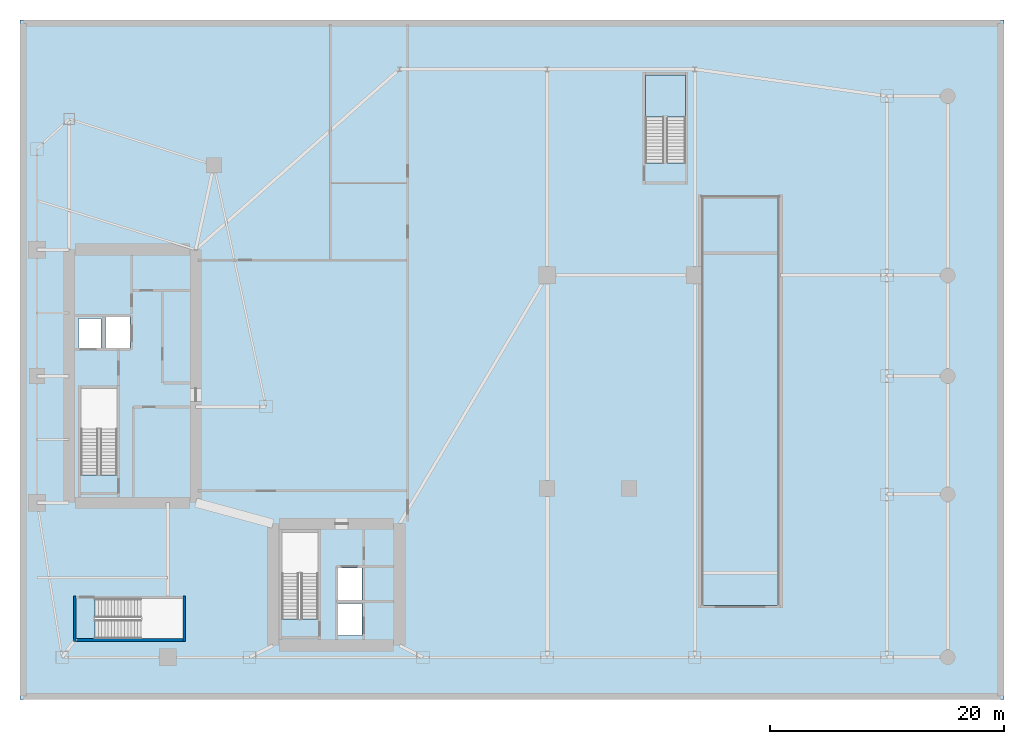
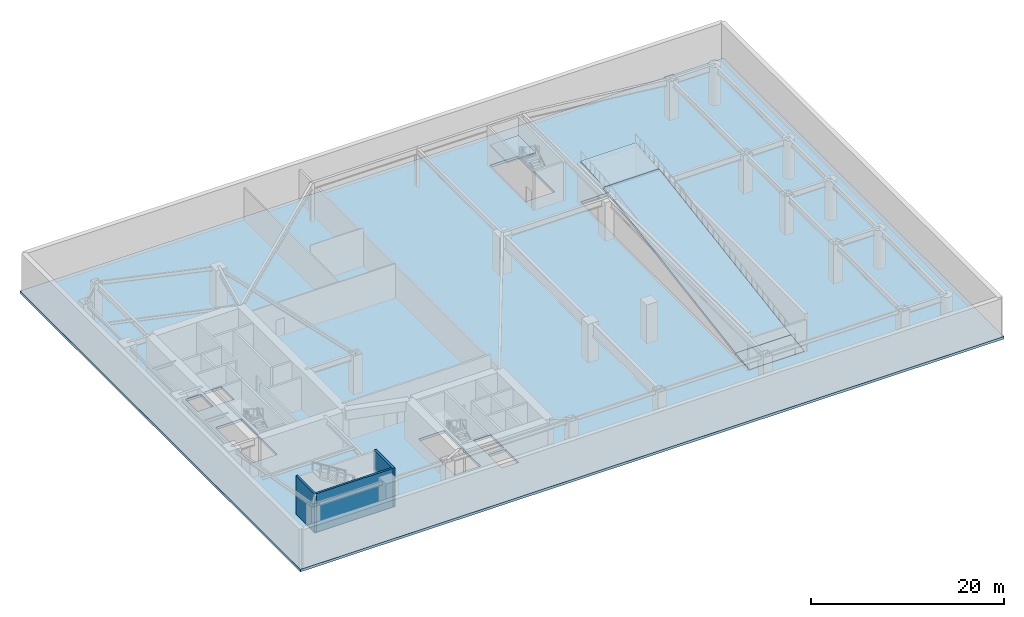
# One storey, part 4 of 13: 5 slabs, 3 walls, 1 element without a shape of its own.
"""IFC4 building model written with IfcOpenShell, lengths in metres."""

from ifc_helpers import new_model, si_unit, direction, frame, frame_2d, origin, place, context, subcontext, project, spatial, polyline, rectangle, outline, extrude, material, layer, layer_set, type_object, element, aggregate, save


model = new_model("IFC4")

# Units and contexts
model_context = context("Model", 3, precision=1e-05, world=origin(), true_north=direction((0.0, 1.0)))
body_context = subcontext(model_context, "Body", "Model", "MODEL_VIEW")
ifc_project = project(units=[si_unit("LENGTHUNIT", "METRE"), si_unit("AREAUNIT", "SQUARE_METRE"), si_unit("VOLUMEUNIT", "CUBIC_METRE"), si_unit("PLANEANGLEUNIT", "RADIAN"), si_unit("MASSUNIT", "GRAM", prefix="KILO")], contexts=[model_context])

# Site, building, storey
site_placement = place(None, origin())
site = spatial("IfcSite", under=ifc_project, at=site_placement, CompositionType="ELEMENT")
building_placement = place(site_placement, origin())
building = spatial("IfcBuilding", under=site, at=building_placement, Name="Calvorn Quay Hotel", CompositionType="ELEMENT")
storey_placement = place(building_placement, frame((0.0, 0.0, -5.199951171875)))
storey = spatial("IfcBuildingStorey", under=building, at=storey_placement, Name="B1", CompositionType="ELEMENT", Elevation=-5.199951171875)

# Slab
ifc_material_1 = material(Name="Concrete C40", Category="concrete")
ifc_layer_1 = layer(ifc_material_1, 0.320068359375)
ifc_layer_set_1 = layer_set([ifc_layer_1], Name="SLB-POD-320")
slab_type_1 = type_object("IfcSlabType", Name="SLB-POD-320", PredefinedType="FLOOR", material=ifc_layer_set_1)
slab_1_placement = place(storey_placement, frame((0.0, 0.0, -0.320068359375)))
element("IfcSlab", 1, at=slab_1_placement, inside=storey, type_object=slab_type_1, Name="B1 Structural Floor Slab", PredefinedType="FLOOR", context=body_context, shape_type="SweptSolid", body=[
    extrude(outline(polyline([(0.0, 0.0), (84.0, 0.0), (84.0, 58.0), (0.0, 58.0), (0.0, 0.0)]), holes=[polyline([(5.199951171875, 19.156005859375), (8.300048828125, 19.156005859375), (8.300048828125, 26.550048828125), (5.199951171875, 26.550048828125), (5.199951171875, 19.156005859375)]), polyline([(22.35009765625, 6.85595703125), (25.449951171875, 6.85595703125), (25.449951171875, 14.25), (22.35009765625, 14.25), (22.35009765625, 6.85595703125)]), polyline([(53.39990234375, 45.805908203125), (56.800048828125, 45.805908203125), (56.800048828125, 53.300048828125), (53.39990234375, 53.300048828125), (53.39990234375, 45.805908203125)]), polyline([(6.406005859375, 5.199951171875), (13.89990234375, 5.199951171875), (13.89990234375, 8.60009765625), (6.406005859375, 8.60009765625), (6.406005859375, 5.199951171875)]), polyline([(5.0, 30.0), (6.89990234375, 30.0), (6.89990234375, 32.5), (5.0, 32.5), (5.0, 30.0)]), polyline([(7.300048828125, 30.0), (9.39990234375, 30.0), (9.39990234375, 32.64990234375), (7.300048828125, 32.64990234375), (7.300048828125, 30.0)]), polyline([(27.159912109375, 8.5), (29.2099609375, 8.5), (29.2099609375, 11.199951171875), (27.159912109375, 11.199951171875), (27.159912109375, 8.5)]), polyline([(27.159912109375, 5.449951171875), (29.2099609375, 5.449951171875), (29.2099609375, 8.199951171875), (27.159912109375, 8.199951171875), (27.159912109375, 5.449951171875)]), polyline([(58.199951171875, 8.0), (64.800048828125, 8.0), (64.800048828125, 42.89990234375), (58.199951171875, 42.89990234375), (58.199951171875, 8.0)])]), origin(), (0.0, 0.0, 1.0), 0.320068359375),
])

# Stair, slab
ifc_material_2 = material(Name="Concrete C40", Category="concrete")
stair_type = type_object("IfcStairType", Name="STR-POD-DOGLEG", PredefinedType="TWO_QUARTER_TURN_STAIR", material=ifc_material_2)
stair_placement = place(storey_placement, origin())
stair = element("IfcStair", 2, at=stair_placement, inside=storey, type_object=stair_type, Name="B1 ST-P1", PredefinedType="TWO_QUARTER_TURN_STAIR")
ifc_material_3 = material(Name="Concrete C40", Category="concrete")
ifc_layer_2 = layer(ifc_material_3, 0.199951171875)
ifc_layer_set_2 = layer_set([ifc_layer_2], Name="SLB-STAIR-LANDING-200")
slab_type_2 = type_object("IfcSlabType", Name="SLB-STAIR-LANDING-200", PredefinedType="LANDING", material=ifc_layer_set_2)
slab_2_placement = place(storey_placement, frame((0.0, 0.0, 2.39990234375)))
slab_2 = element("IfcSlab", 3, at=slab_2_placement, type_object=slab_type_2, Name="ST-P1 landing 1", PredefinedType="LANDING", context=body_context, shape_type="SweptSolid", body=[
    extrude(outline(polyline([(56.800048828125, 49.719970703125), (56.800048828125, 53.300048828125), (53.39990234375, 53.300048828125), (53.39990234375, 49.719970703125), (56.800048828125, 49.719970703125)])), origin(), (0.0, 0.0, 1.0), 0.199951171875),
])
aggregate(stair, [slab_2])

# Slabs
ifc_material_4 = material(Name="Concrete C40", Category="concrete")
ifc_layer_3 = layer(ifc_material_4, 0.300048828125)
ifc_layer_set_3 = layer_set([ifc_layer_3], Name="SLB-VEH-RAMP-C40-300")
slab_type_3 = type_object("IfcSlabType", Name="SLB-VEH-RAMP-C40-300", PredefinedType="FLOOR", material=ifc_layer_set_3)
slab_3_placement = place(storey_placement, frame((58.199951171875, 8.0, 0.0), z_axis=(0.0, -0.141385103552, 0.989954671939), x_axis=(1.0, 0.0, 0.0)))
element("IfcSlab", 4, at=slab_3_placement, inside=storey, type_object=slab_type_3, Name="Basement Vehicle Ramp Structural Slab SVR-B1-1 (Concrete C40)", PredefinedType="FLOOR", context=body_context, shape_type="SweptSolid", body=[
    extrude(outline(polyline([(0.0, 0.0), (6.60009765625, 0.0), (6.60009765625, 2.8284616533410754), (0.0, 2.8284616533410754), (0.0, 0.0)])), origin(), (0.0, 0.0, -1.0), 0.300048828125),
])
slab_4_placement = place(storey_placement, frame((58.199951171875, 10.800048828125, 0.39990234375), z_axis=(0.0, -0.159237438885, 0.987240314238), x_axis=(1.0, 0.0, 0.0)))
element("IfcSlab", 5, at=slab_4_placement, inside=storey, type_object=slab_type_3, Name="Basement Vehicle Ramp Structural Slab SVR-B1-2 (Concrete C40)", PredefinedType="FLOOR", context=body_context, shape_type="SweptSolid", body=[
    extrude(outline(polyline([(0.0, 0.0), (6.60009765625, 0.0), (6.60009765625, 27.632612752367738), (0.0, 27.632612752367738), (0.0, 0.0)])), origin(), (0.0, 0.0, -1.0), 0.300048828125),
])
slab_5_placement = place(storey_placement, frame((58.199951171875, 38.080078125, 4.800048828125), z_axis=(0.0, -0.083028700011, 0.996547156423), x_axis=(1.0, 0.0, 0.0)))
element("IfcSlab", 6, at=slab_5_placement, inside=storey, type_object=slab_type_3, Name="Basement Vehicle Ramp Structural Slab SVR-B1-3 (Concrete C40)", PredefinedType="FLOOR", context=body_context, shape_type="SweptSolid", body=[
    extrude(outline(polyline([(0.0, 0.0), (6.60009765625, 0.0), (6.60009765625, 4.816435084446142), (0.0, 4.816435084446142), (0.0, 0.0)])), origin(), (0.0, 0.0, -1.0), 0.300048828125),
])

# Walls
ifc_material_5 = material(Name="Concrete C40", Category="concrete")
ifc_layer_4 = layer(ifc_material_5, 0.239990234375)
ifc_layer_set_4 = layer_set([ifc_layer_4], Name="WL-SHAFT-240")
wall_type = type_object("IfcWallType", Name="WL-SHAFT-240", PredefinedType="SOLIDWALL", material=ifc_layer_set_4)
for number, where, z_axis, x_axis, name in (
    (7, (4.679931640625, 4.9599609375, 0.0), (0.0, 0.0, 1.0), (0.0, 1.0, 0.0), "Stair STP2 Shaft Wall W (B1)"),
    (8, (14.02001953125, 4.9599609375, 0.0), (0.0, 0.0, 1.0), (0.0, 1.0, 0.0), "Stair STP2 Shaft Wall E (B1)"),
):
    element("IfcWall", number, at=place(storey_placement, frame(where, z_axis=z_axis, x_axis=x_axis)), inside=storey, type_object=wall_type, Name=name, PredefinedType="SOLIDWALL", context=body_context, shape_type="SweptSolid", body=[
        extrude(rectangle(XDim=3.880126953125, YDim=0.239990234375, at=frame_2d((1.93994140625, 0.0))), origin(), (0.0, 0.0, 1.0), 4.8798828125),
    ])
wall_placement = place(storey_placement, frame((4.800048828125, 5.080078125, 0.0), z_axis=(0.0, 0.0, 1.0), x_axis=(1.0, 0.0, 0.0)))
element("IfcWall", 9, at=wall_placement, inside=storey, type_object=wall_type, Name="Stair STP2 Shaft Wall S (B1)", PredefinedType="SOLIDWALL", context=body_context, shape_type="SweptSolid", body=[
    extrude(rectangle(XDim=9.099853515625, YDim=0.239990234375, at=frame_2d((4.5498046875, 0.0))), origin(), (0.0, 0.0, 1.0), 4.8798828125),
])

save(model, "model.ifc")
